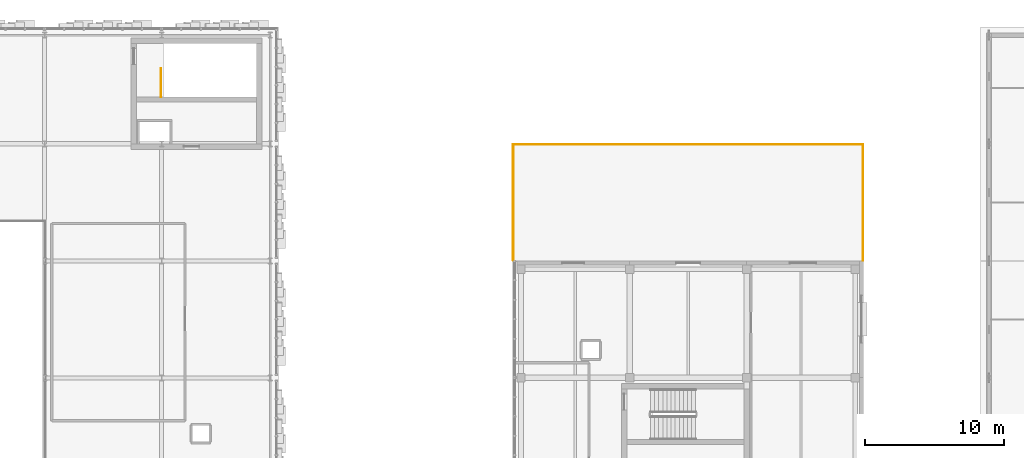
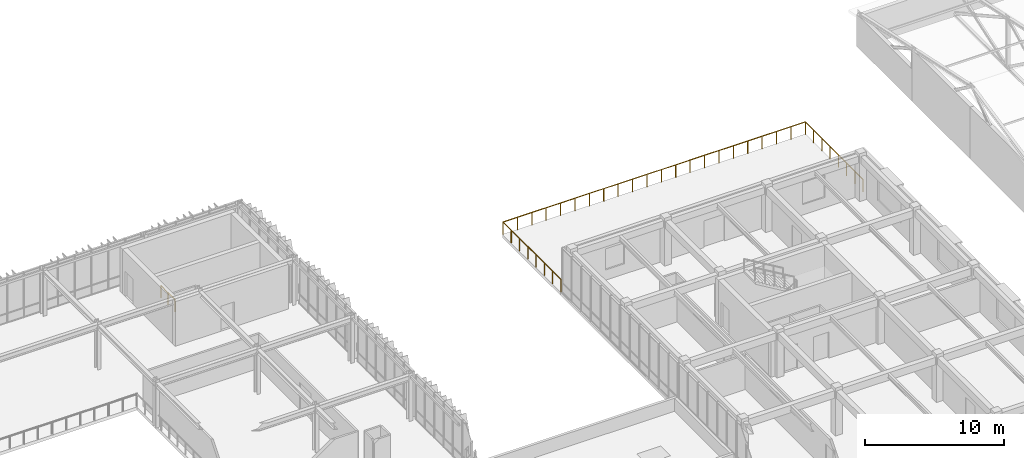
# One storey, part 123 of 123: 4 railings.
"""IFC4 building model written with IfcOpenShell, lengths in metres."""

from ifc_helpers import new_model, si_unit, direction, frame, origin, origin_2d, place, context, subcontext, project, spatial, circle, extrude, material, type_object, element, save


model = new_model("IFC4")

# Units and contexts
model_context = context("Model", 3, precision=1e-05, world=origin(), true_north=direction((0.0, 1.0)))
body_context = subcontext(model_context, "Body", "Model", "MODEL_VIEW")
ifc_project = project(units=[si_unit("LENGTHUNIT", "METRE"), si_unit("AREAUNIT", "SQUARE_METRE"), si_unit("VOLUMEUNIT", "CUBIC_METRE"), si_unit("PLANEANGLEUNIT", "RADIAN"), si_unit("MASSUNIT", "GRAM", prefix="KILO")], contexts=[model_context])

# Site, building, storey
site_placement = place(None, origin())
site = spatial("IfcSite", under=ifc_project, at=site_placement, CompositionType="ELEMENT")
building_placement = place(site_placement, origin())
building = spatial("IfcBuilding", under=site, at=building_placement, Name="Zayran Congress Hotel", CompositionType="ELEMENT")
storey_placement = place(building_placement, frame((0.0, 0.0, 15.0)))
storey = spatial("IfcBuildingStorey", under=building, at=storey_placement, Name="L03", CompositionType="ELEMENT", Elevation=15.0)

# Railings
ifc_material_1 = material(Name="Warm bronze anodised aluminium balustrade", Category="aluminium")
railing_type_1 = type_object("IfcRailingType", Name="TP-GRD-EXT", PredefinedType="GUARDRAIL", material=ifc_material_1)
railing_1_placement = place(storey_placement, frame((134.360107421875, 109.56005859375, 0.0)))
element("IfcRailing", 1, at=railing_1_placement, inside=storey, type_object=railing_type_1, Name="V4 L03 Terrace Perimeter Guard N", PredefinedType="GUARDRAIL", context=body_context, shape_type="SweptSolid", body=[
    extrude(circle(Radius=0.02392578125, at=origin_2d()), frame((0.0, 0.0, 1.09619140625), z_axis=(-1.0, 0.0, 0.0), x_axis=(0.0, -1.0, 0.0)), (0.0, 0.0, 1.0), 25.1201171875),
    extrude(circle(Radius=0.02099609375, at=origin_2d()), origin(), (0.0, 0.0, 1.0), 1.072021484375),
    extrude(circle(Radius=0.02099609375, at=origin_2d()), frame((-1.1962890625, 0.0, 0.0)), (0.0, 0.0, 1.0), 1.072021484375),
    extrude(circle(Radius=0.02099609375, at=origin_2d()), frame((-2.392333984375, 0.0, 0.0)), (0.0, 0.0, 1.0), 1.072021484375),
    extrude(circle(Radius=0.02099609375, at=origin_2d()), frame((-3.588623046875, 0.0, 0.0)), (0.0, 0.0, 1.0), 1.072021484375),
    extrude(circle(Radius=0.02099609375, at=origin_2d()), frame((-4.78466796875, 0.0, 0.0)), (0.0, 0.0, 1.0), 1.072021484375),
    extrude(circle(Radius=0.02099609375, at=origin_2d()), frame((-5.98095703125, 0.0, 0.0)), (0.0, 0.0, 1.0), 1.072021484375),
    extrude(circle(Radius=0.02099609375, at=origin_2d()), frame((-7.17724609375, 0.0, 0.0)), (0.0, 0.0, 1.0), 1.072021484375),
    extrude(circle(Radius=0.02099609375, at=origin_2d()), frame((-8.373291015625, 0.0, 0.0)), (0.0, 0.0, 1.0), 1.072021484375),
    extrude(circle(Radius=0.02099609375, at=origin_2d()), frame((-9.569580078125, 0.0, 0.0)), (0.0, 0.0, 1.0), 1.072021484375),
    extrude(circle(Radius=0.02099609375, at=origin_2d()), frame((-10.765869140625, 0.0, 0.0)), (0.0, 0.0, 1.0), 1.072021484375),
    extrude(circle(Radius=0.02099609375, at=origin_2d()), frame((-11.9619140625, 0.0, 0.0)), (0.0, 0.0, 1.0), 1.072021484375),
    extrude(circle(Radius=0.02099609375, at=origin_2d()), frame((-13.158203125, 0.0, 0.0)), (0.0, 0.0, 1.0), 1.072021484375),
    extrude(circle(Radius=0.02099609375, at=origin_2d()), frame((-14.354248046875, 0.0, 0.0)), (0.0, 0.0, 1.0), 1.072021484375),
    extrude(circle(Radius=0.02099609375, at=origin_2d()), frame((-15.550537109375, 0.0, 0.0)), (0.0, 0.0, 1.0), 1.072021484375),
    extrude(circle(Radius=0.02099609375, at=origin_2d()), frame((-16.746826171875, 0.0, 0.0)), (0.0, 0.0, 1.0), 1.072021484375),
    extrude(circle(Radius=0.02099609375, at=origin_2d()), frame((-17.94287109375, 0.0, 0.0)), (0.0, 0.0, 1.0), 1.072021484375),
    extrude(circle(Radius=0.02099609375, at=origin_2d()), frame((-19.13916015625, 0.0, 0.0)), (0.0, 0.0, 1.0), 1.072021484375),
    extrude(circle(Radius=0.02099609375, at=origin_2d()), frame((-20.33544921875, 0.0, 0.0)), (0.0, 0.0, 1.0), 1.072021484375),
    extrude(circle(Radius=0.02099609375, at=origin_2d()), frame((-21.531494140625, 0.0, 0.0)), (0.0, 0.0, 1.0), 1.072021484375),
    extrude(circle(Radius=0.02099609375, at=origin_2d()), frame((-22.727783203125, 0.0, 0.0)), (0.0, 0.0, 1.0), 1.072021484375),
    extrude(circle(Radius=0.02099609375, at=origin_2d()), frame((-23.923828125, 0.0, 0.0)), (0.0, 0.0, 1.0), 1.072021484375),
    extrude(circle(Radius=0.02099609375, at=origin_2d()), frame((-25.1201171875, 0.0, 0.0)), (0.0, 0.0, 1.0), 1.072021484375),
])
railing_2_placement = place(storey_placement, frame((109.239990234375, 109.56005859375, 0.0)))
element("IfcRailing", 2, at=railing_2_placement, inside=storey, type_object=railing_type_1, Name="V4 L03 Terrace Perimeter Guard W", PredefinedType="GUARDRAIL", context=body_context, shape_type="SweptSolid", body=[
    extrude(circle(Radius=0.02392578125, at=origin_2d()), frame((0.0, 0.0, 1.09619140625), z_axis=(0.0, -1.0, 0.0), x_axis=(1.0, 0.0, 0.0)), (0.0, 0.0, 1.0), 8.320068359375),
    extrude(circle(Radius=0.02099609375, at=origin_2d()), origin(), (0.0, 0.0, 1.0), 1.072021484375),
    extrude(circle(Radius=0.02099609375, at=origin_2d()), frame((0.0, -1.1884765625, 0.0)), (0.0, 0.0, 1.0), 1.072021484375),
    extrude(circle(Radius=0.02099609375, at=origin_2d()), frame((0.0, -2.377197265625, 0.0)), (0.0, 0.0, 1.0), 1.072021484375),
    extrude(circle(Radius=0.02099609375, at=origin_2d()), frame((0.0, -3.565673828125, 0.0)), (0.0, 0.0, 1.0), 1.072021484375),
    extrude(circle(Radius=0.02099609375, at=origin_2d()), frame((0.0, -4.75439453125, 0.0)), (0.0, 0.0, 1.0), 1.072021484375),
    extrude(circle(Radius=0.02099609375, at=origin_2d()), frame((0.0, -5.94287109375, 0.0)), (0.0, 0.0, 1.0), 1.072021484375),
    extrude(circle(Radius=0.02099609375, at=origin_2d()), frame((0.0, -7.131591796875, 0.0)), (0.0, 0.0, 1.0), 1.072021484375),
    extrude(circle(Radius=0.02099609375, at=origin_2d()), frame((0.0, -8.320068359375, 0.0)), (0.0, 0.0, 1.0), 1.072021484375),
])
railing_3_placement = place(storey_placement, frame((134.360107421875, 101.239990234375, 0.0)))
element("IfcRailing", 3, at=railing_3_placement, inside=storey, type_object=railing_type_1, Name="V4 L03 Terrace Perimeter Guard E", PredefinedType="GUARDRAIL", context=body_context, shape_type="SweptSolid", body=[
    extrude(circle(Radius=0.02392578125, at=origin_2d()), frame((0.0, 0.0, 1.09619140625), z_axis=(0.0, 1.0, 0.0), x_axis=(-1.0, 0.0, 0.0)), (0.0, 0.0, 1.0), 8.320068359375),
    extrude(circle(Radius=0.02099609375, at=origin_2d()), origin(), (0.0, 0.0, 1.0), 1.072021484375),
    extrude(circle(Radius=0.02099609375, at=origin_2d()), frame((0.0, 1.1884765625, 0.0)), (0.0, 0.0, 1.0), 1.072021484375),
    extrude(circle(Radius=0.02099609375, at=origin_2d()), frame((0.0, 2.377197265625, 0.0)), (0.0, 0.0, 1.0), 1.072021484375),
    extrude(circle(Radius=0.02099609375, at=origin_2d()), frame((0.0, 3.565673828125, 0.0)), (0.0, 0.0, 1.0), 1.072021484375),
    extrude(circle(Radius=0.02099609375, at=origin_2d()), frame((0.0, 4.75439453125, 0.0)), (0.0, 0.0, 1.0), 1.072021484375),
    extrude(circle(Radius=0.02099609375, at=origin_2d()), frame((0.0, 5.94287109375, 0.0)), (0.0, 0.0, 1.0), 1.072021484375),
    extrude(circle(Radius=0.02099609375, at=origin_2d()), frame((0.0, 7.131591796875, 0.0)), (0.0, 0.0, 1.0), 1.072021484375),
    extrude(circle(Radius=0.02099609375, at=origin_2d()), frame((0.0, 8.320068359375, 0.0)), (0.0, 0.0, 1.0), 1.072021484375),
])
ifc_material_2 = material(Name="Painted steel balustrade", Category="steel")
railing_type_2 = type_object("IfcRailingType", Name="TP-GRD-INT", PredefinedType="GUARDRAIL", material=ifc_material_2)
railing_4_placement = place(storey_placement, frame((83.949951171875, 112.9599609375, 0.0)))
element("IfcRailing", 4, at=railing_4_placement, inside=storey, type_object=railing_type_2, Name="L03 ST-04 top well guard 1", PredefinedType="GUARDRAIL", context=body_context, shape_type="SweptSolid", body=[
    extrude(circle(Radius=0.02392578125, at=origin_2d()), frame((0.0, 0.0, 1.076171875), z_axis=(0.0, 1.0, 0.0), x_axis=(-1.0, 0.0, 0.0)), (0.0, 0.0, 1.0), 2.0400390625),
    extrude(circle(Radius=0.02099609375, at=origin_2d()), origin(), (0.0, 0.0, 1.0), 1.052001953125),
    extrude(circle(Radius=0.02099609375, at=origin_2d()), frame((0.0, 1.02001953125, 0.0)), (0.0, 0.0, 1.0), 1.052001953125),
    extrude(circle(Radius=0.02099609375, at=origin_2d()), frame((0.0, 2.0400390625, 0.0)), (0.0, 0.0, 1.0), 1.052001953125),
])

save(model, "model.ifc")
